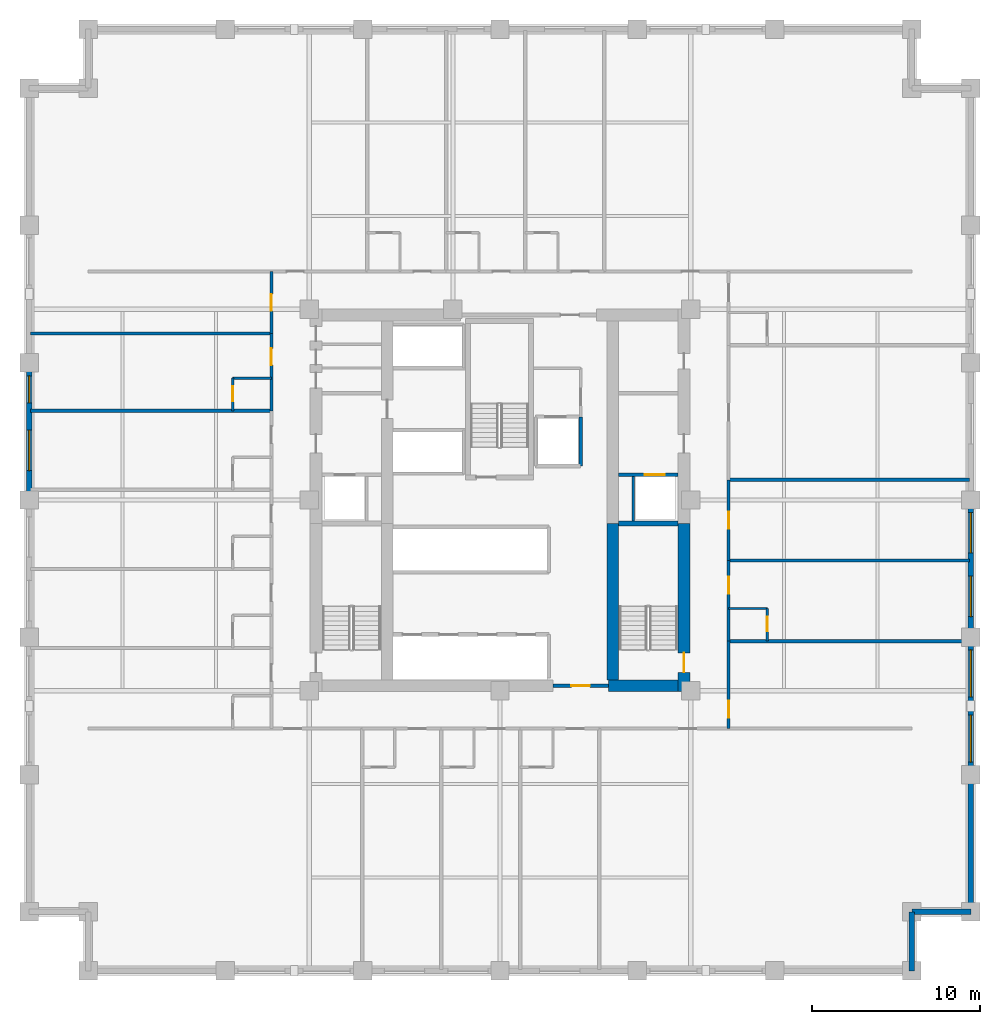
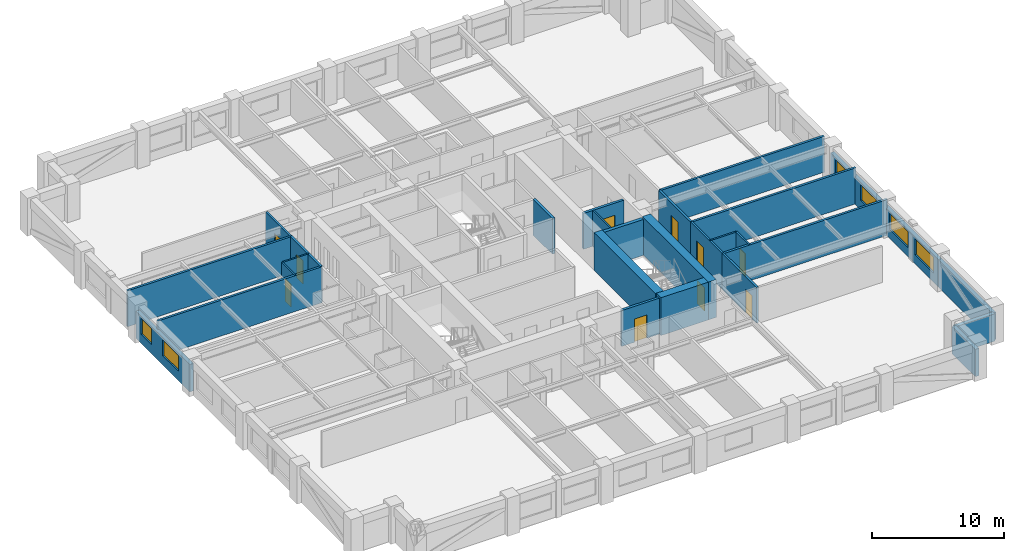
# One storey, part 4 of 8: 28 walls, 10 doors, 6 windows, 16 openings.
"""IFC4 building model written with IfcOpenShell, lengths in metres."""

from ifc_helpers import new_model, si_unit, direction, frame, frame_2d, origin, place, context, subcontext, project, spatial, rectangle, extrude, material, layer, layer_set, type_object, element, fill, save


model = new_model("IFC4")

# Units and contexts
model_context = context("Model", 3, precision=1e-05, world=origin(), true_north=direction((0.0, 1.0)))
body_context = subcontext(model_context, "Body", "Model", "MODEL_VIEW")
ifc_project = project(units=[si_unit("LENGTHUNIT", "METRE"), si_unit("AREAUNIT", "SQUARE_METRE"), si_unit("VOLUMEUNIT", "CUBIC_METRE"), si_unit("PLANEANGLEUNIT", "RADIAN"), si_unit("MASSUNIT", "GRAM", prefix="KILO")], contexts=[model_context])

# Site, building, storey
site_placement = place(None, origin())
site = spatial("IfcSite", under=ifc_project, at=site_placement, CompositionType="ELEMENT")
building_placement = place(site_placement, origin())
building = spatial("IfcBuilding", under=site, at=building_placement, Name="Nhamokura Convention Tower", CompositionType="ELEMENT")
storey_placement = place(building_placement, frame((0.0, 0.0, 45.85009765625)))
storey = spatial("IfcBuildingStorey", under=building, at=storey_placement, Name="L09", CompositionType="ELEMENT", Elevation=45.85009765625)

# Wall
ifc_material_1 = material(Name="Moisture-resistant tile-backer partition", Category="masonry")
ifc_layer_1 = layer(ifc_material_1, 0.139892578125)
ifc_layer_set_1 = layer_set([ifc_layer_1], Name="BathroomWetWall_140")
wall_type_1 = type_object("IfcWallType", Name="BathroomWetWall_140", PredefinedType="STANDARD", material=ifc_layer_set_1)
wall_1_placement = place(storey_placement, frame((16.10009765625, 39.25, 0.0), z_axis=(0.0, 0.0, 1.0), x_axis=(1.0, 0.0, 0.0)))
element("IfcWall", 1, at=wall_1_placement, inside=storey, type_object=wall_type_1, Name="L09 Wall INT-L09-BW-W04N", PredefinedType="STANDARD", context=body_context, shape_type="SweptSolid", body=[
    extrude(rectangle(XDim=2.2998046875, YDim=0.139892578125, at=frame_2d((1.14990234375, 0.0))), origin(), (0.0, 0.0, 1.0), 3.31982421875),
])

# Wall, opening, door
wall_2_placement = place(storey_placement, frame((16.10009765625, 37.300048828125, 0.0), z_axis=(0.0, 0.0, 1.0), x_axis=(0.0, 1.0, 0.0)))
wall_2 = element("IfcWall", 2, at=wall_2_placement, inside=storey, type_object=wall_type_1, Name="L09 Wall INT-L09-BW-W04W", PredefinedType="STANDARD", context=body_context, shape_type="SweptSolid", body=[
    extrude(rectangle(XDim=1.949951171875, YDim=0.139892578125, at=frame_2d((0.97509765625, 0.0))), origin(), (0.0, 0.0, 1.0), 3.31982421875),
])
opening_1_placement = place(wall_2_placement, frame((0.580078125, 0.0, 0.0)))
opening_1 = element("IfcOpeningElement", 3, at=opening_1_placement, cuts=wall_2, Name="Opening D-11", PredefinedType="OPENING", context=body_context, shape_type="SweptSolid", body=[
    extrude(rectangle(XDim=0.8798828125, YDim=2.10009765625, at=frame_2d((0.43994140625, 1.050048828125))), frame((0.0, 0.079833984375, 0.0), z_axis=(0.0, -1.0, 0.0), x_axis=(1.0, 0.0, 0.0)), (0.0, 0.0, 1.0), 0.159912109375),
])
ifc_material_2 = material(Name="Solid oak hardwood", Category="wood")
door_type_1 = type_object("IfcDoorType", Name="BathroomDoor_880", OperationType="NOTDEFINED", PredefinedType="DOOR", material=ifc_material_2)
door_1_placement = place(opening_1_placement, origin())
door_1 = element("IfcDoor", 4, at=door_1_placement, inside=storey, type_object=door_type_1, Name="L09 Guest Room En-suite Door", OperationType="SINGLE_SWING_RIGHT", OverallHeight=2.10009765625, OverallWidth=0.8798828125, PredefinedType="DOOR", context=body_context, shape_type="SweptSolid", body=[
    extrude(rectangle(XDim=0.8798828125, YDim=2.10009765625, at=frame_2d((0.43994140625, 1.050048828125))), frame((0.0, 0.02490234375, 0.0), z_axis=(0.0, -1.0, 0.0), x_axis=(1.0, 0.0, 0.0)), (0.0, 0.0, 1.0), 0.050048828125),
])
fill(opening_1, door_1)

# Wall
wall_3_placement = place(storey_placement, frame((45.60009765625, 25.550048828125, 0.0), z_axis=(0.0, 0.0, 1.0), x_axis=(1.0, 0.0, 0.0)))
element("IfcWall", 5, at=wall_3_placement, inside=storey, type_object=wall_type_1, Name="L09 Wall INT-L09-BW-E01N", PredefinedType="STANDARD", context=body_context, shape_type="SweptSolid", body=[
    extrude(rectangle(XDim=2.2998046875, YDim=0.139892578125, at=frame_2d((1.14990234375, 0.0))), origin(), (0.0, 0.0, 1.0), 3.31982421875),
])

# Wall, opening, door
wall_4_placement = place(storey_placement, frame((47.89990234375, 23.60009765625, 0.0), z_axis=(0.0, 0.0, 1.0), x_axis=(0.0, 1.0, 0.0)))
wall_4 = element("IfcWall", 6, at=wall_4_placement, inside=storey, type_object=wall_type_1, Name="L09 Wall INT-L09-BW-E01E", PredefinedType="STANDARD", context=body_context, shape_type="SweptSolid", body=[
    extrude(rectangle(XDim=1.949951171875, YDim=0.139892578125, at=frame_2d((0.97509765625, 0.0))), origin(), (0.0, 0.0, 1.0), 3.31982421875),
])
opening_2_placement = place(wall_4_placement, frame((0.580078125, 0.0, 0.0)))
opening_2 = element("IfcOpeningElement", 7, at=opening_2_placement, cuts=wall_4, Name="Opening D-11", PredefinedType="OPENING", context=body_context, shape_type="SweptSolid", body=[
    extrude(rectangle(XDim=0.8798828125, YDim=2.10009765625, at=frame_2d((0.43994140625, 1.050048828125))), frame((0.0, 0.079833984375, 0.0), z_axis=(0.0, -1.0, 0.0), x_axis=(1.0, 0.0, 0.0)), (0.0, 0.0, 1.0), 0.159912109375),
])
door_2_placement = place(opening_2_placement, origin())
door_2 = element("IfcDoor", 8, at=door_2_placement, inside=storey, type_object=door_type_1, Name="L09 Guest Room En-suite Door", OperationType="SINGLE_SWING_LEFT", OverallHeight=2.10009765625, OverallWidth=0.8798828125, PredefinedType="DOOR", context=body_context, shape_type="SweptSolid", body=[
    extrude(rectangle(XDim=0.8798828125, YDim=2.10009765625, at=frame_2d((0.43994140625, 1.050048828125))), frame((0.0, 0.02490234375, 0.0), z_axis=(0.0, -1.0, 0.0), x_axis=(1.0, 0.0, 0.0)), (0.0, 0.0, 1.0), 0.050048828125),
])
fill(opening_2, door_2)

# Wall, openings, windows
ifc_material_3 = material(Name="Bronze-pigmented precast concrete C45/55", Category="concrete")
ifc_layer_2 = layer(ifc_material_3, 0.320068359375)
ifc_layer_set_2 = layer_set([ifc_layer_2], Name="BronzePrecastSpandrel_320")
wall_type_2 = type_object("IfcWallType", Name="BronzePrecastSpandrel_320", PredefinedType="USERDEFINED", material=ifc_layer_set_2)
wall_5_placement = place(storey_placement, frame((4.0, 32.0, 0.0), z_axis=(0.0, 0.0, 1.0), x_axis=(0.0, 1.0, 0.0)))
wall_5 = element("IfcWall", 9, at=wall_5_placement, inside=storey, type_object=wall_type_2, Name="L09 Masonry-Frame Wall WEST 3", ObjectType="SPANDREL_WALL", PredefinedType="USERDEFINED", context=body_context, shape_type="SweptSolid", body=[
    extrude(rectangle(XDim=8.166748046875, YDim=0.320068359375, at=frame_2d((4.08349609375, 0.0))), origin(), (0.0, 0.0, 1.0), 2.52001953125),
])
opening_3_placement = place(wall_5_placement, frame((1.75, 0.0, 0.85009765625)))
opening_3 = element("IfcOpeningElement", 10, at=opening_3_placement, cuts=wall_5, Name="Opening W-03", PredefinedType="OPENING", context=body_context, shape_type="SweptSolid", body=[
    extrude(rectangle(XDim=2.39990234375, YDim=1.469970703125, at=frame_2d((1.199951171875, 0.73486328125))), frame((0.0, 0.169921875, 0.0), z_axis=(0.0, -1.0, 0.0), x_axis=(1.0, 0.0, 0.0)), (0.0, 0.0, 1.0), 0.340087890625),
])
opening_4_placement = place(wall_5_placement, frame((5.783203125, 0.0, 0.85009765625)))
opening_4 = element("IfcOpeningElement", 11, at=opening_4_placement, cuts=wall_5, Name="Opening W-11", PredefinedType="OPENING", context=body_context, shape_type="SweptSolid", body=[
    extrude(rectangle(XDim=1.60009765625, YDim=1.469970703125, at=frame_2d((0.800048828125, 0.73486328125))), frame((0.0, 0.169921875, 0.0), z_axis=(0.0, -1.0, 0.0), x_axis=(1.0, 0.0, 0.0)), (0.0, 0.0, 1.0), 0.340087890625),
])
ifc_material_4 = material(Name="Solar-control bronze low-E double glass", Category="glass")
window_type_1 = type_object("IfcWindowType", Name="HotelBayWindow_2400", PartitioningType="DOUBLE_PANEL_VERTICAL", PredefinedType="WINDOW", material=ifc_material_4)
window_1_placement = place(opening_3_placement, origin())
window_1 = element("IfcWindow", 12, at=window_1_placement, inside=storey, type_object=window_type_1, Name="L09 Facade Window WEST 3-1", OverallHeight=1.469970703125, OverallWidth=2.39990234375, PartitioningType="SINGLE_PANEL", PredefinedType="WINDOW", context=body_context, shape_type="SweptSolid", body=[
    extrude(rectangle(XDim=2.39990234375, YDim=1.469970703125, at=frame_2d((1.199951171875, 0.73486328125))), frame((0.0, 0.030029296875, 0.0), z_axis=(0.0, -1.0, 0.0), x_axis=(1.0, 0.0, 0.0)), (0.0, 0.0, 1.0), 0.06005859375),
])
fill(opening_3, window_1)
ifc_material_5 = material(Name="Solar-control bronze low-E double glass", Category="glass")
window_type_2 = type_object("IfcWindowType", Name="NotchCornerWindow_1600", PartitioningType="SINGLE_PANEL", PredefinedType="WINDOW", material=ifc_material_5)
window_2_placement = place(opening_4_placement, origin())
window_2 = element("IfcWindow", 13, at=window_2_placement, inside=storey, type_object=window_type_2, Name="L09 Facade Window WEST 3-2", OverallHeight=1.469970703125, OverallWidth=1.60009765625, PartitioningType="SINGLE_PANEL", PredefinedType="WINDOW", context=body_context, shape_type="SweptSolid", body=[
    extrude(rectangle(XDim=1.60009765625, YDim=1.469970703125, at=frame_2d((0.800048828125, 0.73486328125))), frame((0.0, 0.030029296875, 0.0), z_axis=(0.0, -1.0, 0.0), x_axis=(1.0, 0.0, 0.0)), (0.0, 0.0, 1.0), 0.06005859375),
])
fill(opening_4, window_2)

# Wall
wall_6_placement = place(storey_placement, frame((60.0, 15.666748046875, 0.0), z_axis=(0.0, 0.0, 1.0), x_axis=(0.0, -1.0, 0.0)))
element("IfcWall", 14, at=wall_6_placement, inside=storey, type_object=wall_type_2, Name="L09 Braced-Bay Precast Wall EAST 0", ObjectType="SPANDREL_WALL", PredefinedType="USERDEFINED", context=body_context, shape_type="SweptSolid", body=[
    extrude(rectangle(XDim=8.166748046875, YDim=0.320068359375, at=frame_2d((4.08349609375, 0.0))), origin(), (0.0, 0.0, 1.0), 2.52001953125),
])

# Wall, openings, windows
wall_7_placement = place(storey_placement, frame((60.0, 23.833251953125, 0.0), z_axis=(0.0, 0.0, 1.0), x_axis=(0.0, -1.0, 0.0)))
wall_7 = element("IfcWall", 15, at=wall_7_placement, inside=storey, type_object=wall_type_2, Name="L09 Masonry-Frame Wall EAST 1", ObjectType="SPANDREL_WALL", PredefinedType="USERDEFINED", context=body_context, shape_type="SweptSolid", body=[
    extrude(rectangle(XDim=8.16650390625, YDim=0.320068359375, at=frame_2d((4.083251953125, 0.0))), origin(), (0.0, 0.0, 1.0), 2.52001953125),
])
opening_5_placement = place(wall_7_placement, frame((0.74169921875, 0.0, 0.85009765625)))
opening_5 = element("IfcOpeningElement", 16, at=opening_5_placement, cuts=wall_7, Name="Opening W-04", PredefinedType="OPENING", context=body_context, shape_type="SweptSolid", body=[
    extrude(rectangle(XDim=2.800048828125, YDim=1.469970703125, at=frame_2d((1.39990234375, 0.73486328125))), frame((0.0, 0.169921875, 0.0), z_axis=(0.0, -1.0, 0.0), x_axis=(1.0, 0.0, 0.0)), (0.0, 0.0, 1.0), 0.340087890625),
])
opening_6_placement = place(wall_7_placement, frame((4.625, 0.0, 0.85009765625)))
opening_6 = element("IfcOpeningElement", 17, at=opening_6_placement, cuts=wall_7, Name="Opening W-04", PredefinedType="OPENING", context=body_context, shape_type="SweptSolid", body=[
    extrude(rectangle(XDim=2.800048828125, YDim=1.469970703125, at=frame_2d((1.39990234375, 0.73486328125))), frame((0.0, 0.169921875, 0.0), z_axis=(0.0, -1.0, 0.0), x_axis=(1.0, 0.0, 0.0)), (0.0, 0.0, 1.0), 0.340087890625),
])
ifc_material_6 = material(Name="Solar-control bronze low-E double glass", Category="glass")
window_type_3 = type_object("IfcWindowType", Name="HotelSuiteWindow_2800", PartitioningType="DOUBLE_PANEL_VERTICAL", PredefinedType="WINDOW", material=ifc_material_6)
window_3_placement = place(opening_5_placement, origin())
window_3 = element("IfcWindow", 18, at=window_3_placement, inside=storey, type_object=window_type_3, Name="L09 Facade Window EAST 1-1", OverallHeight=1.469970703125, OverallWidth=2.800048828125, PartitioningType="SINGLE_PANEL", PredefinedType="WINDOW", context=body_context, shape_type="SweptSolid", body=[
    extrude(rectangle(XDim=2.800048828125, YDim=1.469970703125, at=frame_2d((1.39990234375, 0.73486328125))), frame((0.0, 0.030029296875, 0.0), z_axis=(0.0, -1.0, 0.0), x_axis=(1.0, 0.0, 0.0)), (0.0, 0.0, 1.0), 0.06005859375),
])
fill(opening_5, window_3)
window_4_placement = place(opening_6_placement, origin())
window_4 = element("IfcWindow", 19, at=window_4_placement, inside=storey, type_object=window_type_3, Name="L09 Facade Window EAST 1-2", OverallHeight=1.469970703125, OverallWidth=2.800048828125, PartitioningType="SINGLE_PANEL", PredefinedType="WINDOW", context=body_context, shape_type="SweptSolid", body=[
    extrude(rectangle(XDim=2.800048828125, YDim=1.469970703125, at=frame_2d((1.39990234375, 0.73486328125))), frame((0.0, 0.030029296875, 0.0), z_axis=(0.0, -1.0, 0.0), x_axis=(1.0, 0.0, 0.0)), (0.0, 0.0, 1.0), 0.06005859375),
])
fill(opening_6, window_4)

wall_8_placement = place(storey_placement, frame((60.0, 32.0, 0.0), z_axis=(0.0, 0.0, 1.0), x_axis=(0.0, -1.0, 0.0)))
wall_8 = element("IfcWall", 20, at=wall_8_placement, inside=storey, type_object=wall_type_2, Name="L09 Masonry-Frame Wall EAST 2", ObjectType="SPANDREL_WALL", PredefinedType="USERDEFINED", context=body_context, shape_type="SweptSolid", body=[
    extrude(rectangle(XDim=8.166748046875, YDim=0.320068359375, at=frame_2d((4.08349609375, 0.0))), origin(), (0.0, 0.0, 1.0), 2.52001953125),
])
opening_7_placement = place(wall_8_placement, frame((0.75, 0.0, 0.85009765625)))
opening_7 = element("IfcOpeningElement", 21, at=opening_7_placement, cuts=wall_8, Name="Opening W-03", PredefinedType="OPENING", context=body_context, shape_type="SweptSolid", body=[
    extrude(rectangle(XDim=2.39990234375, YDim=1.469970703125, at=frame_2d((1.199951171875, 0.73486328125))), frame((0.0, 0.169921875, 0.0), z_axis=(0.0, -1.0, 0.0), x_axis=(1.0, 0.0, 0.0)), (0.0, 0.0, 1.0), 0.340087890625),
])
opening_8_placement = place(wall_8_placement, frame((4.533203125, 0.0, 0.85009765625)))
opening_8 = element("IfcOpeningElement", 22, at=opening_8_placement, cuts=wall_8, Name="Opening W-03", PredefinedType="OPENING", context=body_context, shape_type="SweptSolid", body=[
    extrude(rectangle(XDim=2.39990234375, YDim=1.469970703125, at=frame_2d((1.199951171875, 0.73486328125))), frame((0.0, 0.169921875, 0.0), z_axis=(0.0, -1.0, 0.0), x_axis=(1.0, 0.0, 0.0)), (0.0, 0.0, 1.0), 0.340087890625),
])
window_5_placement = place(opening_7_placement, origin())
window_5 = element("IfcWindow", 23, at=window_5_placement, inside=storey, type_object=window_type_1, Name="L09 Facade Window EAST 2-1", OverallHeight=1.469970703125, OverallWidth=2.39990234375, PartitioningType="SINGLE_PANEL", PredefinedType="WINDOW", context=body_context, shape_type="SweptSolid", body=[
    extrude(rectangle(XDim=2.39990234375, YDim=1.469970703125, at=frame_2d((1.199951171875, 0.73486328125))), frame((0.0, 0.030029296875, 0.0), z_axis=(0.0, -1.0, 0.0), x_axis=(1.0, 0.0, 0.0)), (0.0, 0.0, 1.0), 0.06005859375),
])
fill(opening_7, window_5)
window_6_placement = place(opening_8_placement, origin())
window_6 = element("IfcWindow", 24, at=window_6_placement, inside=storey, type_object=window_type_1, Name="L09 Facade Window EAST 2-2", OverallHeight=1.469970703125, OverallWidth=2.39990234375, PartitioningType="SINGLE_PANEL", PredefinedType="WINDOW", context=body_context, shape_type="SweptSolid", body=[
    extrude(rectangle(XDim=2.39990234375, YDim=1.469970703125, at=frame_2d((1.199951171875, 0.73486328125))), frame((0.0, 0.030029296875, 0.0), z_axis=(0.0, -1.0, 0.0), x_axis=(1.0, 0.0, 0.0)), (0.0, 0.0, 1.0), 0.06005859375),
])
fill(opening_8, window_6)

# Walls
for number, where, z_axis, x_axis, name in (
    (25, (56.5, 7.5, 0.0), (0.0, 0.0, 1.0), (0.0, -1.0, 0.0), "L09 Notched Corner Wall SE1"),
    (26, (60.0, 7.5, 0.0), (0.0, 0.0, 1.0), (-1.0, 0.0, 0.0), "L09 Notched Corner Wall SE2"),
):
    element("IfcWall", number, at=place(storey_placement, frame(where, z_axis=z_axis, x_axis=x_axis)), inside=storey, type_object=wall_type_2, Name=name, ObjectType="SPANDREL_WALL", PredefinedType="USERDEFINED", context=body_context, shape_type="SweptSolid", body=[
        extrude(rectangle(XDim=3.5, YDim=0.320068359375, at=frame_2d((1.75, 0.0))), origin(), (0.0, 0.0, 1.0), 2.52001953125),
    ])

# Wall, opening, door
ifc_material_7 = material(Name="Concrete C70/85", Category="concrete")
ifc_layer_3 = layer(ifc_material_7, 0.699951171875)
ifc_layer_set_3 = layer_set([ifc_layer_3], Name="CoreShearWall_700")
wall_type_3 = type_object("IfcWallType", Name="CoreShearWall_700", PredefinedType="SHEAR", material=ifc_layer_set_3)
wall_9_placement = place(storey_placement, frame((42.93994140625, 20.60009765625, 0.0), z_axis=(0.0, 0.0, 1.0), x_axis=(0.0, 1.0, 0.0)))
wall_9 = element("IfcWall", 27, at=wall_9_placement, inside=storey, type_object=wall_type_3, Name="L09 Core Shear Wall CW-ES", PredefinedType="SHEAR", context=body_context, shape_type="SweptSolid", body=[
    extrude(rectangle(XDim=10.0, YDim=0.699951171875, at=frame_2d((5.0, 0.0))), origin(), (0.0, 0.0, 1.0), 3.5),
])
opening_9_placement = place(wall_9_placement, frame((1.14990234375, 0.0, 0.0)))
opening_9 = element("IfcOpeningElement", 28, at=opening_9_placement, cuts=wall_9, Name="Opening D-04", PredefinedType="OPENING", context=body_context, shape_type="SweptSolid", body=[
    extrude(rectangle(XDim=1.14990234375, YDim=2.14990234375, at=frame_2d((0.574951171875, 1.074951171875))), frame((0.0, 0.35986328125, 0.0), z_axis=(0.0, -1.0, 0.0), x_axis=(1.0, 0.0, 0.0)), (0.0, 0.0, 1.0), 0.719970703125),
])
ifc_material_8 = material(Name="Fire-rated steel door", Category="steel")
door_type_2 = type_object("IfcDoorType", Name="StairSmokeDoor_1150", OperationType="NOTDEFINED", PredefinedType="DOOR", material=ifc_material_8)
door_3_placement = place(opening_9_placement, origin())
door_3 = element("IfcDoor", 29, at=door_3_placement, inside=storey, type_object=door_type_2, Name="L09 Core Door INT-L09-D-ST02", OperationType="SINGLE_SWING_RIGHT", OverallHeight=2.14990234375, OverallWidth=1.14990234375, PredefinedType="DOOR", context=body_context, shape_type="SweptSolid", body=[
    extrude(rectangle(XDim=1.14990234375, YDim=2.14990234375, at=frame_2d((0.574951171875, 1.074951171875))), frame((0.0, 0.02490234375, 0.0), z_axis=(0.0, -1.0, 0.0), x_axis=(1.0, 0.0, 0.0)), (0.0, 0.0, 1.0), 0.050048828125),
])
fill(opening_9, door_3)

# Walls
wall_10_placement = place(storey_placement, frame((38.449951171875, 20.949951171875, 0.0), z_axis=(0.0, 0.0, 1.0), x_axis=(1.0, 0.0, 0.0)))
element("IfcWall", 30, at=wall_10_placement, inside=storey, type_object=wall_type_3, Name="L09 Core Shear Wall CW-S2", PredefinedType="SHEAR", context=body_context, shape_type="SweptSolid", body=[
    extrude(rectangle(XDim=4.14013671875, YDim=0.699951171875, at=frame_2d((2.070068359375, 0.0))), origin(), (0.0, 0.0, 1.0), 3.5),
])
wall_11_placement = place(storey_placement, frame((38.7099609375, 21.300048828125, 0.0), z_axis=(0.0, 0.0, 1.0), x_axis=(0.0, 1.0, 0.0)))
element("IfcWall", 31, at=wall_11_placement, inside=storey, type_object=wall_type_3, Name="L09 Core Shear Wall CW-IES", PredefinedType="SHEAR", context=body_context, shape_type="SweptSolid", body=[
    extrude(rectangle(XDim=9.300048828125, YDim=0.699951171875, at=frame_2d((4.64990234375, 0.0))), origin(), (0.0, 0.0, 1.0), 3.5),
])

# Wall, opening, door
ifc_material_9 = material(Name="Fire-rated gypsum and masonry partition", Category="masonry")
ifc_layer_4 = layer(ifc_material_9, 0.179931640625)
ifc_layer_set_4 = layer_set([ifc_layer_4], Name="CorridorRatedWall_180")
wall_type_4 = type_object("IfcWallType", Name="CorridorRatedWall_180", PredefinedType="STANDARD", material=ifc_layer_set_4)
wall_12_placement = place(storey_placement, frame((18.39990234375, 37.300048828125, 0.0), z_axis=(0.0, 0.0, 1.0), x_axis=(0.0, 1.0, 0.0)))
wall_12 = element("IfcWall", 32, at=wall_12_placement, inside=storey, type_object=wall_type_4, Name="L09 Wall INT-L09-CW-W04", PredefinedType="STANDARD", context=body_context, shape_type="SweptSolid", body=[
    extrude(rectangle(XDim=4.599853515625, YDim=0.179931640625, at=frame_2d((2.2998046875, 0.0))), origin(), (0.0, 0.0, 1.0), 3.31982421875),
])
opening_10_placement = place(wall_12_placement, frame((2.72509765625, 0.0, 0.0)))
opening_10 = element("IfcOpeningElement", 33, at=opening_10_placement, cuts=wall_12, Name="Opening D-07", PredefinedType="OPENING", context=body_context, shape_type="SweptSolid", body=[
    extrude(rectangle(XDim=1.0, YDim=2.14990234375, at=frame_2d((0.5, 1.074951171875))), frame((0.0, 0.099853515625, 0.0), z_axis=(0.0, -1.0, 0.0), x_axis=(1.0, 0.0, 0.0)), (0.0, 0.0, 1.0), 0.199951171875),
])
ifc_material_10 = material(Name="Solid oak hardwood", Category="wood")
door_type_3 = type_object("IfcDoorType", Name="HotelSuiteEntryDoor_1000", OperationType="NOTDEFINED", PredefinedType="DOOR", material=ifc_material_10)
door_4_placement = place(opening_10_placement, origin())
door_4 = element("IfcDoor", 34, at=door_4_placement, inside=storey, type_object=door_type_3, Name="L09 Guest Room W05 Door", OperationType="SINGLE_SWING_LEFT", OverallHeight=2.14990234375, OverallWidth=1.0, PredefinedType="DOOR", context=body_context, shape_type="SweptSolid", body=[
    extrude(rectangle(XDim=1.0, YDim=2.14990234375, at=frame_2d((0.5, 1.074951171875))), frame((0.0, 0.02490234375, 0.0), z_axis=(0.0, -1.0, 0.0), x_axis=(1.0, 0.0, 0.0)), (0.0, 0.0, 1.0), 0.050048828125),
])
fill(opening_10, door_4)

wall_13_placement = place(storey_placement, frame((18.39990234375, 41.89990234375, 0.0), z_axis=(0.0, 0.0, 1.0), x_axis=(0.0, 1.0, 0.0)))
wall_13 = element("IfcWall", 35, at=wall_13_placement, inside=storey, type_object=wall_type_4, Name="L09 Wall INT-L09-CW-W05", PredefinedType="STANDARD", context=body_context, shape_type="SweptSolid", body=[
    extrude(rectangle(XDim=3.7001953125, YDim=0.179931640625, at=frame_2d((1.85009765625, 0.0))), origin(), (0.0, 0.0, 1.0), 3.31982421875),
])
opening_11_placement = place(wall_13_placement, frame((1.35009765625, 0.0, 0.0)))
opening_11 = element("IfcOpeningElement", 36, at=opening_11_placement, cuts=wall_13, Name="Opening D-07", PredefinedType="OPENING", context=body_context, shape_type="SweptSolid", body=[
    extrude(rectangle(XDim=1.0, YDim=2.14990234375, at=frame_2d((0.5, 1.074951171875))), frame((0.0, 0.099853515625, 0.0), z_axis=(0.0, -1.0, 0.0), x_axis=(1.0, 0.0, 0.0)), (0.0, 0.0, 1.0), 0.199951171875),
])
door_5_placement = place(opening_11_placement, origin())
door_5 = element("IfcDoor", 37, at=door_5_placement, inside=storey, type_object=door_type_3, Name="L09 Service Linen Room W06 Door", OperationType="SINGLE_SWING_RIGHT", OverallHeight=2.14990234375, OverallWidth=1.0, PredefinedType="DOOR", context=body_context, shape_type="SweptSolid", body=[
    extrude(rectangle(XDim=1.0, YDim=2.14990234375, at=frame_2d((0.5, 1.074951171875))), frame((0.0, 0.02490234375, 0.0), z_axis=(0.0, -1.0, 0.0), x_axis=(1.0, 0.0, 0.0)), (0.0, 0.0, 1.0), 0.050048828125),
])
fill(opening_11, door_5)

wall_14_placement = place(storey_placement, frame((45.60009765625, 18.39990234375, 0.0), z_axis=(0.0, 0.0, 1.0), x_axis=(0.0, 1.0, 0.0)))
wall_14 = element("IfcWall", 38, at=wall_14_placement, inside=storey, type_object=wall_type_4, Name="L09 Wall INT-L09-CW-E00", PredefinedType="STANDARD", context=body_context, shape_type="SweptSolid", body=[
    extrude(rectangle(XDim=5.2001953125, YDim=0.179931640625, at=frame_2d((2.60009765625, 0.0))), origin(), (0.0, 0.0, 1.0), 3.31982421875),
])
opening_12_placement = place(wall_14_placement, frame((0.64990234375, 0.0, 0.0)))
opening_12 = element("IfcOpeningElement", 39, at=opening_12_placement, cuts=wall_14, Name="Opening D-07", PredefinedType="OPENING", context=body_context, shape_type="SweptSolid", body=[
    extrude(rectangle(XDim=1.0, YDim=2.14990234375, at=frame_2d((0.5, 1.074951171875))), frame((0.0, 0.099853515625, 0.0), z_axis=(0.0, -1.0, 0.0), x_axis=(1.0, 0.0, 0.0)), (0.0, 0.0, 1.0), 0.199951171875),
])
door_6_placement = place(opening_12_placement, origin())
door_6 = element("IfcDoor", 40, at=door_6_placement, inside=storey, type_object=door_type_3, Name="L09 Conference Salon E01 Door", OperationType="SINGLE_SWING_LEFT", OverallHeight=2.14990234375, OverallWidth=1.0, PredefinedType="DOOR", context=body_context, shape_type="SweptSolid", body=[
    extrude(rectangle(XDim=1.0, YDim=2.14990234375, at=frame_2d((0.5, 1.074951171875))), frame((0.0, 0.02490234375, 0.0), z_axis=(0.0, -1.0, 0.0), x_axis=(1.0, 0.0, 0.0)), (0.0, 0.0, 1.0), 0.050048828125),
])
fill(opening_12, door_6)

wall_15_placement = place(storey_placement, frame((45.60009765625, 23.60009765625, 0.0), z_axis=(0.0, 0.0, 1.0), x_axis=(0.0, 1.0, 0.0)))
wall_15 = element("IfcWall", 41, at=wall_15_placement, inside=storey, type_object=wall_type_4, Name="L09 Wall INT-L09-CW-E01", PredefinedType="STANDARD", context=body_context, shape_type="SweptSolid", body=[
    extrude(rectangle(XDim=4.7998046875, YDim=0.179931640625, at=frame_2d((2.39990234375, 0.0))), origin(), (0.0, 0.0, 1.0), 3.31982421875),
])
opening_13_placement = place(wall_15_placement, frame((2.824951171875, 0.0, 0.0)))
opening_13 = element("IfcOpeningElement", 42, at=opening_13_placement, cuts=wall_15, Name="Opening D-07", PredefinedType="OPENING", context=body_context, shape_type="SweptSolid", body=[
    extrude(rectangle(XDim=1.0, YDim=2.14990234375, at=frame_2d((0.5, 1.074951171875))), frame((0.0, 0.099853515625, 0.0), z_axis=(0.0, -1.0, 0.0), x_axis=(1.0, 0.0, 0.0)), (0.0, 0.0, 1.0), 0.199951171875),
])
door_7_placement = place(opening_13_placement, origin())
door_7 = element("IfcDoor", 43, at=door_7_placement, inside=storey, type_object=door_type_3, Name="L09 Guest Room E02 Door", OperationType="SINGLE_SWING_RIGHT", OverallHeight=2.14990234375, OverallWidth=1.0, PredefinedType="DOOR", context=body_context, shape_type="SweptSolid", body=[
    extrude(rectangle(XDim=1.0, YDim=2.14990234375, at=frame_2d((0.5, 1.074951171875))), frame((0.0, 0.02490234375, 0.0), z_axis=(0.0, -1.0, 0.0), x_axis=(1.0, 0.0, 0.0)), (0.0, 0.0, 1.0), 0.050048828125),
])
fill(opening_13, door_7)

wall_16_placement = place(storey_placement, frame((45.60009765625, 28.39990234375, 0.0), z_axis=(0.0, 0.0, 1.0), x_axis=(0.0, 1.0, 0.0)))
wall_16 = element("IfcWall", 44, at=wall_16_placement, inside=storey, type_object=wall_type_4, Name="L09 Wall INT-L09-CW-E02", PredefinedType="STANDARD", context=body_context, shape_type="SweptSolid", body=[
    extrude(rectangle(XDim=4.800048828125, YDim=0.179931640625, at=frame_2d((2.39990234375, 0.0))), origin(), (0.0, 0.0, 1.0), 3.31982421875),
])
opening_14_placement = place(wall_16_placement, frame((1.89990234375, 0.0, 0.0)))
opening_14 = element("IfcOpeningElement", 45, at=opening_14_placement, cuts=wall_16, Name="Opening D-07", PredefinedType="OPENING", context=body_context, shape_type="SweptSolid", body=[
    extrude(rectangle(XDim=1.0, YDim=2.14990234375, at=frame_2d((0.5, 1.074951171875))), frame((0.0, 0.099853515625, 0.0), z_axis=(0.0, -1.0, 0.0), x_axis=(1.0, 0.0, 0.0)), (0.0, 0.0, 1.0), 0.199951171875),
])
door_8_placement = place(opening_14_placement, origin())
door_8 = element("IfcDoor", 46, at=door_8_placement, inside=storey, type_object=door_type_3, Name="L09 Housekeeping Store E03 Door", OperationType="SINGLE_SWING_LEFT", OverallHeight=2.14990234375, OverallWidth=1.0, PredefinedType="DOOR", context=body_context, shape_type="SweptSolid", body=[
    extrude(rectangle(XDim=1.0, YDim=2.14990234375, at=frame_2d((0.5, 1.074951171875))), frame((0.0, 0.02490234375, 0.0), z_axis=(0.0, -1.0, 0.0), x_axis=(1.0, 0.0, 0.0)), (0.0, 0.0, 1.0), 0.050048828125),
])
fill(opening_14, door_8)

ifc_material_11 = material(Name="Autoclaved concrete blockwork", Category="masonry")
ifc_layer_5 = layer(ifc_material_11, 0.219970703125)
ifc_layer_set_5 = layer_set([ifc_layer_5], Name="FireLobbyWall_220")
wall_type_5 = type_object("IfcWallType", Name="FireLobbyWall_220", PredefinedType="STANDARD", material=ifc_layer_set_5)
wall_17_placement = place(storey_placement, frame((39.06005859375, 33.5, 0.0), z_axis=(0.0, 0.0, 1.0), x_axis=(1.0, 0.0, 0.0)))
wall_17 = element("IfcWall", 47, at=wall_17_placement, inside=storey, type_object=wall_type_5, Name="L09 Wall INT-L09-FFE-S", PredefinedType="STANDARD", context=body_context, shape_type="SweptSolid", body=[
    extrude(rectangle(XDim=3.530029296875, YDim=0.219970703125, at=frame_2d((1.76513671875, 0.0))), origin(), (0.0, 0.0, 1.0), 3.31982421875),
])
opening_15_placement = place(wall_17_placement, frame((1.550048828125, 0.0, 0.0)))
opening_15 = element("IfcOpeningElement", 48, at=opening_15_placement, cuts=wall_17, Name="Opening LD-02", PredefinedType="OPENING", context=body_context, shape_type="SweptSolid", body=[
    extrude(rectangle(XDim=1.199951171875, YDim=2.199951171875, at=frame_2d((0.60009765625, 1.10009765625))), frame((0.0, 0.119873046875, 0.0), z_axis=(0.0, -1.0, 0.0), x_axis=(1.0, 0.0, 0.0)), (0.0, 0.0, 1.0), 0.239990234375),
])
ifc_material_12 = material(Name="Anodised bronze stainless steel", Category="steel")
door_type_4 = type_object("IfcDoorType", Name="LiftLandingDoor_FireService", OperationType="DOUBLE_DOOR_SLIDING", PredefinedType="DOOR", material=ifc_material_12)
door_9_placement = place(opening_15_placement, origin())
door_9 = element("IfcDoor", 49, at=door_9_placement, inside=storey, type_object=door_type_4, Name="L09 Firefighting Lift LF-02 Door", OperationType="DOUBLE_DOOR_SLIDING", OverallHeight=2.199951171875, OverallWidth=1.199951171875, PredefinedType="DOOR", context=body_context, shape_type="SweptSolid", body=[
    extrude(rectangle(XDim=1.199951171875, YDim=2.199951171875, at=frame_2d((0.60009765625, 1.10009765625))), frame((0.0, 0.02490234375, 0.0), z_axis=(0.0, -1.0, 0.0), x_axis=(1.0, 0.0, 0.0)), (0.0, 0.0, 1.0), 0.050048828125),
])
fill(opening_15, door_9)

wall_18_placement = place(storey_placement, frame((35.14990234375, 20.949951171875, 0.0), z_axis=(0.0, 0.0, 1.0), x_axis=(1.0, 0.0, 0.0)))
wall_18 = element("IfcWall", 50, at=wall_18_placement, inside=storey, type_object=wall_type_5, Name="L09 Wall INT-L09-SPORT-S", PredefinedType="STANDARD", context=body_context, shape_type="SweptSolid", body=[
    extrude(rectangle(XDim=3.300048828125, YDim=0.219970703125, at=frame_2d((1.64990234375, 0.0))), origin(), (0.0, 0.0, 1.0), 3.31982421875),
])
opening_16_placement = place(wall_18_placement, frame((1.10009765625, 0.0, 0.0)))
opening_16 = element("IfcOpeningElement", 51, at=opening_16_placement, cuts=wall_18, Name="Opening D-05", PredefinedType="OPENING", context=body_context, shape_type="SweptSolid", body=[
    extrude(rectangle(XDim=1.10009765625, YDim=2.14990234375, at=frame_2d((0.550048828125, 1.074951171875))), frame((0.0, 0.119873046875, 0.0), z_axis=(0.0, -1.0, 0.0), x_axis=(1.0, 0.0, 0.0)), (0.0, 0.0, 1.0), 0.239990234375),
])
ifc_material_13 = material(Name="Fire-rated steel door", Category="steel")
door_type_5 = type_object("IfcDoorType", Name="FireLobbyDoor_1100", OperationType="NOTDEFINED", PredefinedType="DOOR", material=ifc_material_13)
door_10_placement = place(opening_16_placement, origin())
door_10 = element("IfcDoor", 52, at=door_10_placement, inside=storey, type_object=door_type_5, Name="L09 South Core Lobby Portal Door", OperationType="SINGLE_SWING_LEFT", OverallHeight=2.14990234375, OverallWidth=1.10009765625, PredefinedType="DOOR", context=body_context, shape_type="SweptSolid", body=[
    extrude(rectangle(XDim=1.10009765625, YDim=2.14990234375, at=frame_2d((0.550048828125, 1.074951171875))), frame((0.0, 0.02490234375, 0.0), z_axis=(0.0, -1.0, 0.0), x_axis=(1.0, 0.0, 0.0)), (0.0, 0.0, 1.0), 0.050048828125),
])
fill(opening_16, door_10)

# Walls
wall_19_placement = place(storey_placement, frame((36.800048828125, 34.02001953125, 0.0), z_axis=(0.0, 0.0, 1.0), x_axis=(0.0, 1.0, 0.0)))
element("IfcWall", 53, at=wall_19_placement, inside=storey, type_object=wall_type_5, Name="L09 Wall INT-L09-LSE", PredefinedType="STANDARD", context=body_context, shape_type="SweptSolid", body=[
    extrude(rectangle(XDim=2.929931640625, YDim=0.219970703125, at=frame_2d((1.46484375, 0.0))), origin(), (0.0, 0.0, 1.0), 3.31982421875),
])
ifc_material_14 = material(Name="Acoustic twin-stud gypsum partition", Category="masonry")
ifc_layer_6 = layer(ifc_material_14, 0.199951171875)
ifc_layer_set_6 = layer_set([ifc_layer_6], Name="HotelDemisingWall_200")
wall_type_6 = type_object("IfcWallType", Name="HotelDemisingWall_200", PredefinedType="STANDARD", material=ifc_layer_set_6)
for number, where, z_axis, x_axis, name in (
    (54, (4.06005859375, 37.300048828125, 0.0), (0.0, 0.0, 1.0), (1.0, 0.0, 0.0), "L09 Wall INT-L09-RW-W04"),
    (55, (4.06005859375, 41.89990234375, 0.0), (0.0, 0.0, 1.0), (1.0, 0.0, 0.0), "L09 Wall INT-L09-RW-W05"),
    (56, (45.60009765625, 23.60009765625, 0.0), (0.0, 0.0, 1.0), (1.0, 0.0, 0.0), "L09 Wall INT-L09-RW-E01"),
    (57, (45.60009765625, 28.39990234375, 0.0), (0.0, 0.0, 1.0), (1.0, 0.0, 0.0), "L09 Wall INT-L09-RW-E02"),
    (58, (45.60009765625, 33.199951171875, 0.0), (0.0, 0.0, 1.0), (1.0, 0.0, 0.0), "L09 Wall INT-L09-RW-E03"),
):
    element("IfcWall", number, at=place(storey_placement, frame(where, z_axis=z_axis, x_axis=x_axis)), inside=storey, type_object=wall_type_6, Name=name, PredefinedType="STANDARD", context=body_context, shape_type="SweptSolid", body=[
        extrude(rectangle(XDim=14.33984375, YDim=0.199951171875, at=frame_2d((7.169921875, 0.0))), origin(), (0.0, 0.0, 1.0), 3.31982421875),
    ])
ifc_material_15 = material(Name="Acoustic gypsum stud partition", Category="masonry")
ifc_layer_7 = layer(ifc_material_15, 0.14990234375)
ifc_layer_set_7 = layer_set([ifc_layer_7], Name="InteriorPartition_150")
wall_type_7 = type_object("IfcWallType", Name="InteriorPartition_150", PredefinedType="STANDARD", material=ifc_layer_set_7)
wall_20_placement = place(storey_placement, frame((39.919921875, 30.75, 0.0), z_axis=(0.0, 0.0, 1.0), x_axis=(0.0, 1.0, 0.0)))
element("IfcWall", 59, at=wall_20_placement, inside=storey, type_object=wall_type_7, Name="L09 Wall INT-L09-FF2-W", PredefinedType="STANDARD", context=body_context, shape_type="SweptSolid", body=[
    extrude(rectangle(XDim=2.64990234375, YDim=0.14990234375, at=frame_2d((1.324951171875, 0.0))), origin(), (0.0, 0.0, 1.0), 3.31982421875),
])
ifc_material_16 = material(Name="Concrete C50/60", Category="concrete")
ifc_layer_8 = layer(ifc_material_16, 0.300048828125)
ifc_layer_set_8 = layer_set([ifc_layer_8], Name="ShaftEnclosureWall_300")
wall_type_8 = type_object("IfcWallType", Name="ShaftEnclosureWall_300", PredefinedType="SHEAR", material=ifc_layer_set_8)
wall_21_placement = place(storey_placement, frame((39.06005859375, 30.60009765625, 0.0), z_axis=(0.0, 0.0, 1.0), x_axis=(1.0, 0.0, 0.0)))
element("IfcWall", 60, at=wall_21_placement, inside=storey, type_object=wall_type_8, Name="L09 Wall INT-L09-ST02-N", PredefinedType="SHEAR", context=body_context, shape_type="SweptSolid", body=[
    extrude(rectangle(XDim=3.530029296875, YDim=0.300048828125, at=frame_2d((1.76513671875, 0.0))), origin(), (0.0, 0.0, 1.0), 3.31982421875),
])

save(model, "model.ifc")
